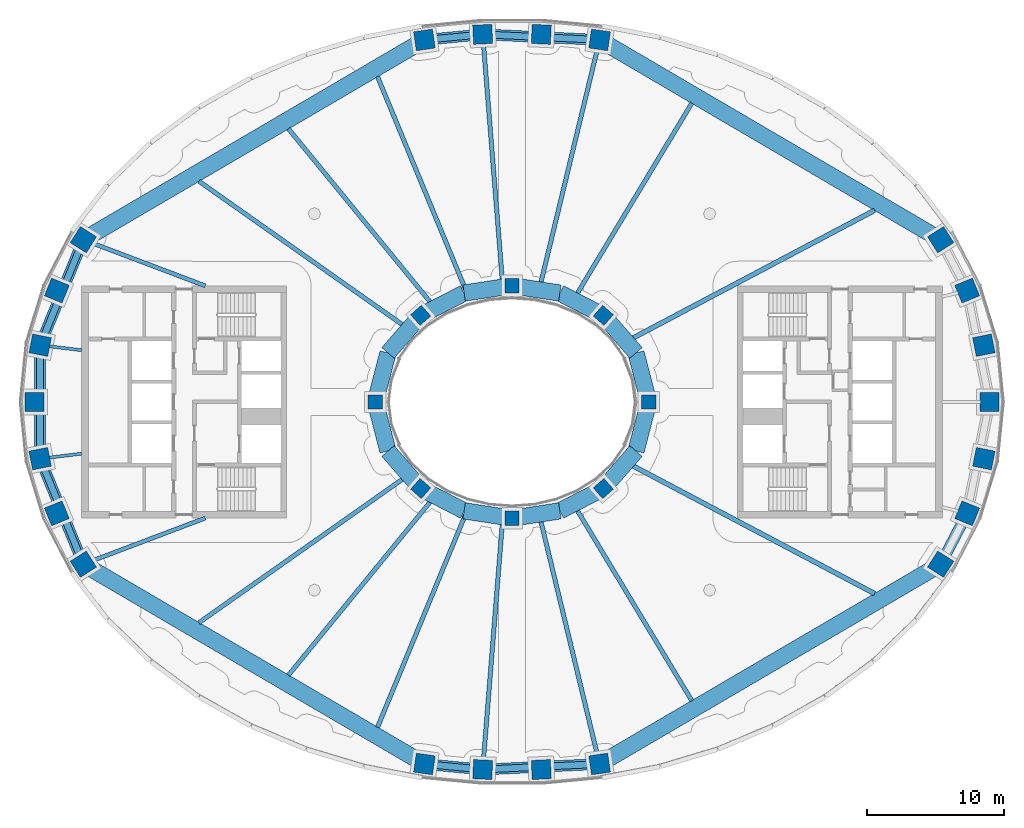
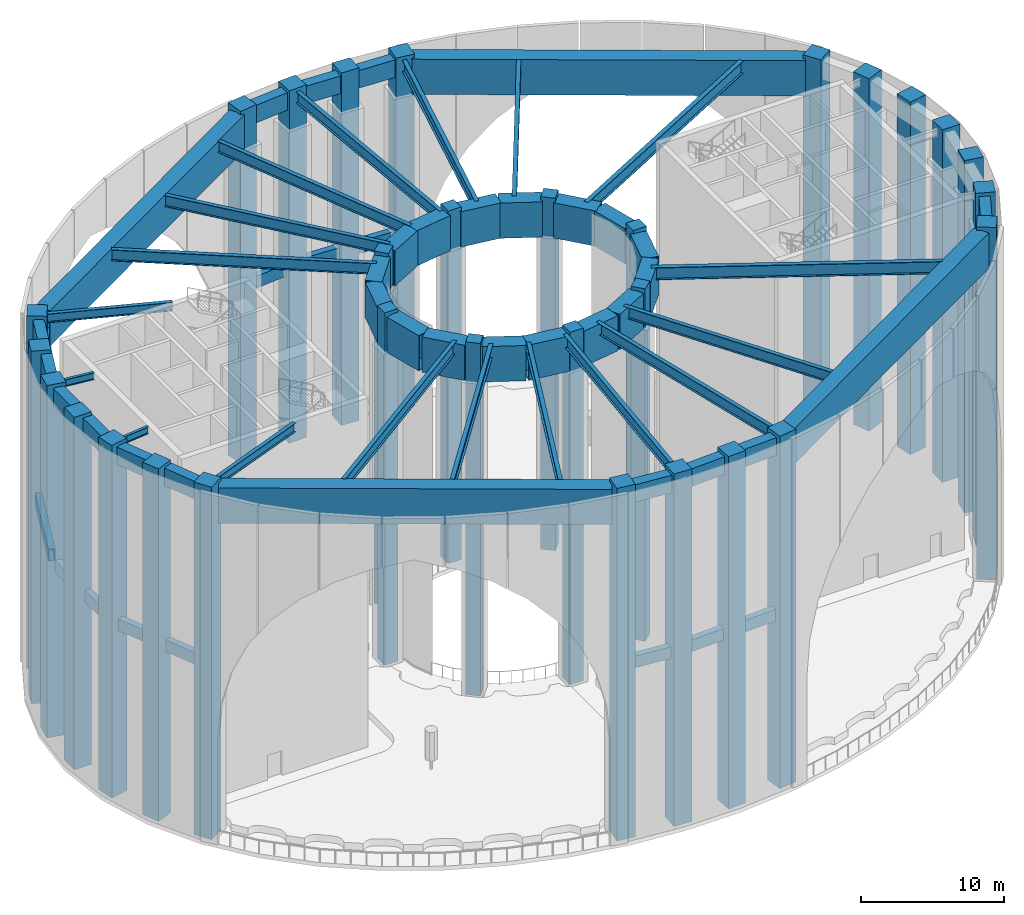
# One storey, part 1 of 26: 53 beams, 30 columns.
"""IFC4 building model written with IfcOpenShell, lengths in metres."""

import ifcopenshell
import ifcopenshell.guid

model = None  # the IFC model being written
_history = None  # IfcOwnerHistory: only IFC2X3 demands one
_inside = {}  # id of a spatial element -> (the spatial element, [elements in it])
_under = {}  # id of a project, library or spatial element -> (it, [spatial elements below it])
_declared = {}  # id of a project -> (the project, [libraries it declares])
_typed = {}  # id of a type object -> (the type object, [elements of that type])
_made_of = {}  # id of a material, layer set ... -> (it, [elements and type objects made of it])


def new_model(schema):
    """Start an empty IFC model of exactly this schema.

    Asked for "IFC4X3", IfcOpenShell would pick the latest addendum, in which some entities
    have other attributes; the version numbers below select the first issue.
    IFC2X3 requires an IfcOwnerHistory on every rooted entity: one is made here for all.
    """
    global model, _history
    if schema == "IFC4X3":
        model = ifcopenshell.file(schema_version=(4, 3, 0, 0))
    else:
        model = ifcopenshell.file(schema=schema)
    _inside.clear()
    _under.clear()
    _declared.clear()
    _typed.clear()
    _made_of.clear()
    _history = None
    if model.schema == "IFC2X3":
        org = make("IfcOrganization", Name="unknown")
        user = make(
            "IfcPersonAndOrganization",
            ThePerson=make("IfcPerson", FamilyName="unknown"),
            TheOrganization=org,
        )
        app = make(
            "IfcApplication",
            ApplicationDeveloper=org,
            Version="unknown",
            ApplicationFullName="unknown",
            ApplicationIdentifier="unknown",
        )
        _history = make(
            "IfcOwnerHistory",
            OwningUser=user,
            OwningApplication=app,
            ChangeAction="ADDED",
            CreationDate=0,
        )
    return model


def make(cls, **values):
    """One entity of the class cls with the attributes given. An attribute that is None is left unset."""
    return model.create_entity(
        cls, **{name: value for name, value in values.items() if value is not None}
    )


def rooted(cls, **values):
    """An entity with a GlobalId (a new one), such as an element, a storey or a relation."""
    return make(cls, GlobalId=ifcopenshell.guid.new(), OwnerHistory=_history, **values)


def si_unit(unit_type, name, prefix=None):
    """IfcSIUnit, for example si_unit("LENGTHUNIT", "METRE", prefix="MILLI")."""
    return make("IfcSIUnit", UnitType=unit_type, Prefix=prefix, Name=name)


def assignment(units):
    """IfcUnitAssignment: the units of a project."""
    return None if units is None else make("IfcUnitAssignment", Units=units)


def point(xyz):
    """IfcCartesianPoint."""
    return None if xyz is None else make("IfcCartesianPoint", Coordinates=xyz)


def direction(xyz):
    """IfcDirection."""
    return None if xyz is None else make("IfcDirection", DirectionRatios=xyz)


def frame(location, z_axis=None, x_axis=None):
    """IfcAxis2Placement3D, a coordinate frame: its origin and axes. An axis left out is left unset."""
    return make(
        "IfcAxis2Placement3D",
        Location=point(location),
        Axis=direction(z_axis),
        RefDirection=direction(x_axis),
    )


def frame_2d(location, x_axis=None):
    """IfcAxis2Placement2D, a coordinate frame in the plane: its origin and x axis."""
    return make(
        "IfcAxis2Placement2D", Location=point(location), RefDirection=direction(x_axis)
    )


def origin():
    """The frame at (0, 0, 0) with its axes left unset."""
    return frame((0.0, 0.0, 0.0))


def origin_2d():
    """The frame at (0, 0) in the plane with its x axis left unset."""
    return frame_2d((0.0, 0.0))


def place(relative_to, where):
    """IfcLocalPlacement: puts the frame where relative to a parent placement (None: the world)."""
    return make(
        "IfcLocalPlacement", PlacementRelTo=relative_to, RelativePlacement=where
    )


def context(
    kind, dimensions, precision=None, world=None, true_north=None, identifier=None
):
    """IfcGeometricRepresentationContext, for example the 3D "Model" context."""
    return make(
        "IfcGeometricRepresentationContext",
        ContextIdentifier=identifier,
        ContextType=kind,
        CoordinateSpaceDimension=dimensions,
        Precision=precision,
        WorldCoordinateSystem=world,
        TrueNorth=true_north,
    )


def subcontext(parent, identifier, kind, view, scale=None):
    """IfcGeometricRepresentationSubContext, for example "Body" below "Model"."""
    return make(
        "IfcGeometricRepresentationSubContext",
        ContextIdentifier=identifier,
        ContextType=kind,
        ParentContext=parent,
        TargetScale=scale,
        TargetView=view,
    )


def project(units=None, contexts=None):
    """IfcProject with its units and contexts."""
    return rooted(
        "IfcProject",
        Name="project",
        RepresentationContexts=contexts,
        UnitsInContext=assignment(units),
    )


def spatial(cls, under=None, at=None, **own):
    """A site, building, storey or space (cls), placed at a placement, below another one or the project."""
    s = rooted(cls, ObjectPlacement=at, **own)
    if under is not None:
        _under.setdefault(under.id(), (under, []))[1].append(s)
    return s


def profile(cls, at=None, kind="AREA", **sizes):
    """A parametric profile (cls). Its sizes go by their IFC names, for example OverallWidth=200.0."""
    return make(cls, ProfileType=kind, Position=at, **sizes)


def rectangle(**sizes):
    """IfcRectangleProfileDef."""
    return profile("IfcRectangleProfileDef", **sizes)


def hollow_rectangle(**sizes):
    """IfcRectangleHollowProfileDef."""
    return profile("IfcRectangleHollowProfileDef", **sizes)


def i_section(**sizes):
    """IfcIShapeProfileDef."""
    return profile("IfcIShapeProfileDef", **sizes)


def extrude(swept, where, along, depth):
    """IfcExtrudedAreaSolid: the profile swept, set in the frame where, extruded along a direction by depth."""
    return make(
        "IfcExtrudedAreaSolid",
        SweptArea=swept,
        Position=where,
        ExtrudedDirection=direction(along),
        Depth=depth,
    )


def shape(context_of_items, identifier, shape_type, items):
    """IfcShapeRepresentation: the items that make up one representation, for example the "Body"."""
    return make(
        "IfcShapeRepresentation",
        ContextOfItems=context_of_items,
        RepresentationIdentifier=identifier,
        RepresentationType=shape_type,
        Items=items,
    )


def material(Name=None, Category=None):
    """IfcMaterial."""
    return make("IfcMaterial", Name=Name, Category=Category)


def material_profile(
    of_material, cross_section, Name=None, Category=None, Priority=None
):
    """IfcMaterialProfile: a cross section and its material."""
    return make(
        "IfcMaterialProfile",
        Name=Name,
        Material=of_material,
        Profile=cross_section,
        Priority=Priority,
        Category=Category,
    )


def profile_set(profiles, Name=None, composite=None):
    """IfcMaterialProfileSet."""
    return make(
        "IfcMaterialProfileSet",
        Name=Name,
        MaterialProfiles=profiles,
        CompositeProfile=composite,
    )


def made_of(thing, what):
    """Note that an element or type object is made of a material, layer set ...; save() writes the relation."""
    if what is not None:
        _made_of.setdefault(what.id(), (what, []))[1].append(thing)
    return thing


def type_object(cls, material=None, **own):
    """A type object (cls), such as IfcWallType, which elements share."""
    return made_of(rooted(cls, **own), material)


def element(
    cls,
    number,
    at=None,
    inside=None,
    cuts=None,
    type_object=None,
    material=None,
    context=None,
    identifier="Body",
    shape_type=None,
    held_by="IfcProductDefinitionShape",
    body=None,
    shapes=None,
    **own,
):
    """One element of the class cls, such as IfcWall. Its Tag is "e" and its number.

    at: its placement. inside: the storey or other place that contains it. cuts: it is an
    opening in that element (IfcRelVoidsElement). A single representation is given by context,
    identifier, shape_type and body (its items); several are given by shapes. held_by: the class
    of the entity that holds the representations. save() writes the other relations.
    """
    e = rooted(cls, Tag="e%d" % number, ObjectPlacement=at, **own)
    if body is not None:
        shapes = [shape(context, identifier, shape_type, body)]
    if shapes is not None:
        e.Representation = make(held_by, Representations=shapes)
    if inside is not None:
        _inside.setdefault(inside.id(), (inside, []))[1].append(e)
    if cuts is not None:
        rooted(
            "IfcRelVoidsElement", RelatingBuildingElement=cuts, RelatedOpeningElement=e
        )
    if type_object is not None:
        _typed.setdefault(type_object.id(), (type_object, []))[1].append(e)
    return made_of(e, material)


def aggregate(whole, parts):
    """IfcRelAggregates: a whole, such as a stair, and the parts it consists of."""
    return rooted("IfcRelAggregates", RelatingObject=whole, RelatedObjects=parts)


def save(model, path):
    """Write the relations noted so far, then the file.

    IfcRelAggregates (storeys below a building ...), IfcRelContainedInSpatialStructure (elements
    in a storey), IfcRelDefinesByType, IfcRelAssociatesMaterial and IfcRelDeclares: one each for
    every whole, place, type object, material and project.
    """
    for whole, parts in _under.values():
        aggregate(whole, parts)
    for where, things in _inside.values():
        rooted(
            "IfcRelContainedInSpatialStructure",
            RelatedElements=things,
            RelatingStructure=where,
        )
    for kind, things in _typed.values():
        rooted("IfcRelDefinesByType", RelatedObjects=things, RelatingType=kind)
    for what, things in _made_of.values():
        rooted("IfcRelAssociatesMaterial", RelatedObjects=things, RelatingMaterial=what)
    for by, libraries in _declared.values():
        rooted("IfcRelDeclares", RelatingContext=by, RelatedDefinitions=libraries)
    model.write(path)


model = new_model("IFC4")

# Units and contexts
model_context = context("Model", 3, precision=1e-05, world=origin(), true_north=direction((0.0, 1.0)))
body_context = subcontext(model_context, "Body", "Model", "MODEL_VIEW")
ifc_project = project(units=[si_unit("LENGTHUNIT", "METRE"), si_unit("AREAUNIT", "SQUARE_METRE"), si_unit("VOLUMEUNIT", "CUBIC_METRE"), si_unit("PLANEANGLEUNIT", "RADIAN"), si_unit("MASSUNIT", "GRAM", prefix="KILO")], contexts=[model_context])

# Site, building, storey
site_placement = place(None, origin())
site = spatial("IfcSite", under=ifc_project, at=site_placement, CompositionType="ELEMENT")
building_placement = place(site_placement, origin())
building = spatial("IfcBuilding", under=site, at=building_placement, Name="Noorbagh Ring Tower", CompositionType="ELEMENT")
storey_placement = place(building_placement, frame((0.0, 0.0, 203.5)))
storey = spatial("IfcBuildingStorey", under=building, at=storey_placement, Name="L47", CompositionType="ELEMENT", Elevation=203.5)

# Columns
ifc_material_1 = material(Name="Concrete C60/75", Category="concrete")
ifc_material_profile_1 = material_profile(ifc_material_1, rectangle(XDim=1.39990234375, YDim=1.39990234375, at=origin_2d()), Name="RC1400x1400")
ifc_profile_set_1 = profile_set([ifc_material_profile_1], Name="Concrete C60/75")
column_type_1 = type_object("IfcColumnType", Name="STR-COL-RC1400x1400-C60-75", PredefinedType="COLUMN", material=ifc_profile_set_1)
for number, where, z_axis, x_axis, name in (
    (1, (34.944580078125, 0.0, 0.0), (0.0, 0.0, 1.0), (0.0, 1.0, 0.0), "L47/col/R1-01"),
    (2, (34.52685546875, 4.150634765625, 0.0), (0.0, 0.0, 1.0), (-0.19723040178, 0.9803571638, 0.0), "L47/col/R1-02"),
    (3, (33.30517578125, 8.1494140625, 0.0), (0.0, 0.0, 1.0), (-0.378989499959, 0.925400971969, 0.0), "L47/col/R1-03"),
    (4, (31.364990234375, 11.87109375, 0.0), (0.0, 0.0, 1.0), (-0.535190403059, 0.844731455833, 0.0), "L47/col/R1-04"),
    (5, (6.4091796875, 26.49072265625, 0.0), (0.0, 0.0, 1.0), (-0.989713114048, 0.143066249975, 0.0), "L47/col/R1-11"),
    (6, (2.14306640625, 26.89794921875, 0.0), (0.0, 0.0, 1.0), (-0.998868731212, 0.047552684538, 0.0), "L47/col/R1-12"),
    (7, (-2.14306640625, 26.89794921875, 0.0), (0.0, 0.0, 1.0), (-0.998868731212, -0.047552684538, 0.0), "L47/col/R1-13"),
    (8, (-6.4091796875, 26.49072265625, 0.0), (0.0, 0.0, 1.0), (-0.989713114048, -0.143066249975, 0.0), "L47/col/R1-14"),
    (9, (-31.364990234375, 11.87109375, 0.0), (0.0, 0.0, 1.0), (-0.535190403059, -0.844731455833, 0.0), "L47/col/R1-21"),
    (10, (-33.30517578125, 8.1494140625, 0.0), (0.0, 0.0, 1.0), (-0.378989499959, -0.925400971969, 0.0), "L47/col/R1-22"),
    (11, (-34.52685546875, 4.150634765625, 0.0), (0.0, 0.0, 1.0), (-0.19723040178, -0.9803571638, 0.0), "L47/col/R1-23"),
    (12, (-34.944580078125, 0.0, 0.0), (0.0, 0.0, 1.0), (0.0, -1.0, 0.0), "L47/col/R1-24"),
    (13, (-34.52685546875, -4.150634765625, 0.0), (0.0, 0.0, 1.0), (0.19723040178, -0.9803571638, 0.0), "L47/col/R1-25"),
    (14, (-33.30517578125, -8.1494140625, 0.0), (0.0, 0.0, 1.0), (0.378989499959, -0.925400971969, 0.0), "L47/col/R1-26"),
    (15, (-31.364990234375, -11.87109375, 0.0), (0.0, 0.0, 1.0), (0.535190403059, -0.844731455833, 0.0), "L47/col/R1-27"),
    (16, (-6.4091796875, -26.49072265625, 0.0), (0.0, 0.0, 1.0), (0.989713114048, -0.143066249975, 0.0), "L47/col/R1-34"),
    (17, (-2.14306640625, -26.89794921875, 0.0), (0.0, 0.0, 1.0), (0.998868731212, -0.047552684538, 0.0), "L47/col/R1-35"),
    (18, (2.14306640625, -26.89794921875, 0.0), (0.0, 0.0, 1.0), (0.998868731212, 0.047552684538, 0.0), "L47/col/R1-36"),
    (19, (6.4091796875, -26.49072265625, 0.0), (0.0, 0.0, 1.0), (0.989713114048, 0.143066249975, 0.0), "L47/col/R1-37"),
    (20, (31.364990234375, -11.87109375, 0.0), (0.0, 0.0, 1.0), (0.535190403059, 0.844731455833, 0.0), "L47/col/R1-44"),
    (21, (33.30517578125, -8.1494140625, 0.0), (0.0, 0.0, 1.0), (0.378989499959, 0.925400971969, 0.0), "L47/col/R1-45"),
    (22, (34.52685546875, -4.150634765625, 0.0), (0.0, 0.0, 1.0), (0.19723040178, 0.9803571638, 0.0), "L47/col/R1-46"),
):
    element("IfcColumn", number, at=place(storey_placement, frame(where, z_axis=z_axis, x_axis=x_axis)), inside=storey, type_object=column_type_1, Name=name, PredefinedType="COLUMN", context=body_context, shape_type="SweptSolid", body=[
        extrude(rectangle(XDim=1.39990234375, YDim=1.39990234375, at=origin_2d()), origin(), (0.0, 0.0, 1.0), 30.0),
    ])
ifc_material_2 = material(Name="Concrete C60/75", Category="concrete")
ifc_material_profile_2 = material_profile(ifc_material_2, rectangle(XDim=1.050048828125, YDim=1.050048828125, at=origin_2d()), Name="RC1050x1050")
ifc_profile_set_2 = profile_set([ifc_material_profile_2], Name="Concrete C60/75")
column_type_2 = type_object("IfcColumnType", Name="STR-ICOL-RC1050x1050-C60-75", PredefinedType="COLUMN", material=ifc_profile_set_2)
for number, where, z_axis, x_axis, name in (
    (23, (10.00830078125, 0.0, 0.0), (0.0, 0.0, 1.0), (0.0, 1.0, 0.0), "L47/col/IR2-W01"),
    (24, (6.68212890625, 6.333740234375, 0.0), (0.0, 0.0, 1.0), (-0.75102249095, 0.660276622399, 0.0), "L47/col/IR2-W05"),
    (25, (0.0, 8.5029296875, 0.0), (0.0, 0.0, 1.0), (-1.0, 0.0, 0.0), "L47/col/IR2-W09"),
    (26, (-6.68212890625, 6.333740234375, 0.0), (0.0, 0.0, 1.0), (-0.75102249095, -0.660276622399, 0.0), "L47/col/IR2-W13"),
    (27, (-10.00830078125, 0.0, 0.0), (0.0, 0.0, 1.0), (0.0, -1.0, 0.0), "L47/col/IR2-W17"),
    (28, (-6.68212890625, -6.333740234375, 0.0), (0.0, 0.0, 1.0), (0.75102249095, -0.660276622399, 0.0), "L47/col/IR2-W21"),
    (29, (0.0, -8.5029296875, 0.0), (0.0, 0.0, 1.0), (1.0, 0.0, 0.0), "L47/col/IR2-W25"),
    (30, (6.68212890625, -6.333740234375, 0.0), (0.0, 0.0, 1.0), (0.75102249095, 0.660276622399, 0.0), "L47/col/IR2-W29"),
):
    element("IfcColumn", number, at=place(storey_placement, frame(where, z_axis=z_axis, x_axis=x_axis)), inside=storey, type_object=column_type_2, Name=name, PredefinedType="COLUMN", context=body_context, shape_type="SweptSolid", body=[
        extrude(rectangle(XDim=1.050048828125, YDim=1.050048828125, at=origin_2d()), origin(), (0.0, 0.0, 1.0), 30.0),
    ])

# Beams
ifc_material_3 = material(Name="Steel S460", Category="steel")
ifc_material_profile_3 = material_profile(ifc_material_3, hollow_rectangle(XDim=0.5, YDim=1.0, WallThickness=0.0400390625, at=origin_2d()), Name="BOX1000x500x40")
ifc_profile_set_3 = profile_set([ifc_material_profile_3], Name="Steel S460")
beam_type_1 = type_object("IfcBeamType", Name="STR-PORTAL-TIE-RING-BOX1000x500x40-S460", PredefinedType="BEAM", material=ifc_profile_set_3)
beam_1_placement = place(storey_placement, frame((5.726806640625, 26.5234375, 14.5), z_axis=(-0.998869595741, 0.047534521183, 0.0), x_axis=(-0.047534521183, -0.998869595741, 0.0)))
element("IfcBeam", 31, at=beam_1_placement, inside=storey, type_object=beam_type_1, Name="Portal tie ring beam", PredefinedType="BEAM", context=body_context, shape_type="SweptSolid", body=[
    extrude(hollow_rectangle(XDim=0.5, YDim=1.0, WallThickness=0.0400390625, at=origin_2d()), origin(), (0.0, 0.0, 1.0), 7.195556640625),
])
beam_2_placement = place(storey_placement, frame((-2.82080078125, 26.833251953125, 14.5), z_axis=(-0.995475184925, -0.095021872206, 0.0), x_axis=(0.095021872206, -0.995475184925, 0.0)))
element("IfcBeam", 32, at=beam_2_placement, inside=storey, type_object=beam_type_1, Name="Portal tie ring beam", PredefinedType="BEAM", context=body_context, shape_type="SweptSolid", body=[
    extrude(hollow_rectangle(XDim=0.5, YDim=1.0, WallThickness=0.0400390625, at=origin_2d()), origin(), (0.0, 0.0, 1.0), 2.923828125),
])
beam_3_placement = place(storey_placement, frame((-31.626953125, 11.2314453125, 14.5), z_axis=(-0.378975710003, -0.925406619399, 0.0), x_axis=(0.925406619399, -0.378975710003, 0.0)))
element("IfcBeam", 33, at=beam_3_placement, inside=storey, type_object=beam_type_1, Name="Portal tie ring beam", PredefinedType="BEAM", context=body_context, shape_type="SweptSolid", body=[
    extrude(hollow_rectangle(XDim=0.5, YDim=1.0, WallThickness=0.0400390625, at=origin_2d()), origin(), (0.0, 0.0, 1.0), 6.958740234375),
])
beam_4_placement = place(storey_placement, frame((-34.52685546875, 3.45654296875, 14.5), z_axis=(0.0, -1.0, 0.0), x_axis=(1.0, 0.0, 0.0)))
element("IfcBeam", 34, at=beam_4_placement, inside=storey, type_object=beam_type_1, Name="Portal tie ring beam", PredefinedType="BEAM", context=body_context, shape_type="SweptSolid", body=[
    extrude(hollow_rectangle(XDim=0.5, YDim=1.0, WallThickness=0.0400390625, at=origin_2d()), origin(), (0.0, 0.0, 1.0), 6.9130859375),
])
beam_5_placement = place(storey_placement, frame((-34.26416015625, -4.791748046875, 14.5), z_axis=(0.378975710003, -0.925406619399, 0.0), x_axis=(0.925406619399, 0.378975710003, 0.0)))
element("IfcBeam", 35, at=beam_5_placement, inside=storey, type_object=beam_type_1, Name="Portal tie ring beam", PredefinedType="BEAM", context=body_context, shape_type="SweptSolid", body=[
    extrude(hollow_rectangle(XDim=0.5, YDim=1.0, WallThickness=0.0400390625, at=origin_2d()), origin(), (0.0, 0.0, 1.0), 6.958740234375),
])
beam_6_placement = place(storey_placement, frame((-5.7314453125, -26.555419921875, 14.5), z_axis=(0.995475184925, -0.095021872206, 0.0), x_axis=(0.095021872206, 0.995475184925, 0.0)))
element("IfcBeam", 36, at=beam_6_placement, inside=storey, type_object=beam_type_1, Name="Portal tie ring beam", PredefinedType="BEAM", context=body_context, shape_type="SweptSolid", body=[
    extrude(hollow_rectangle(XDim=0.5, YDim=1.0, WallThickness=0.0400390625, at=origin_2d()), origin(), (0.0, 0.0, 1.0), 2.923828125),
])
beam_7_placement = place(storey_placement, frame((-1.460693359375, -26.865478515625, 14.5), z_axis=(0.998869595741, 0.047534521183, 0.0), x_axis=(-0.047534521183, 0.998869595741, 0.0)))
element("IfcBeam", 37, at=beam_7_placement, inside=storey, type_object=beam_type_1, Name="Portal tie ring beam", PredefinedType="BEAM", context=body_context, shape_type="SweptSolid", body=[
    extrude(hollow_rectangle(XDim=0.5, YDim=1.0, WallThickness=0.0400390625, at=origin_2d()), origin(), (0.0, 0.0, 1.0), 7.195556640625),
])
ifc_material_4 = material(Name="Steel S355", Category="steel")
ifc_material_profile_4 = material_profile(ifc_material_4, i_section(OverallWidth=0.219970703125, OverallDepth=0.60009765625, WebThickness=0.011962890625, FlangeThickness=0.01904296875, FilletRadius=0.02392578125, at=origin_2d()), Name="IPE600")
ifc_profile_set_4 = profile_set([ifc_material_profile_4], Name="Steel S355")
beam_type_2 = type_object("IfcBeamType", Name="STR-RAD-IPE600", PredefinedType="BEAM", material=ifc_profile_set_4)
for number, where, z_axis, x_axis, name in (
    (38, (-33.849365234375, 4.0693359375, 29.39990234375), (0.992846305677, -0.119399385689, 0.0), (0.119399385689, 0.992846305677, 0.0), "L47/bm/RD23"),
    (39, (-33.849365234375, -4.0693359375, 29.39990234375), (0.992846305677, 0.119399385689, 0.0), (-0.119399385689, 0.992846305677, 0.0), "L47/bm/RD25"),
):
    element("IfcBeam", number, at=place(storey_placement, frame(where, z_axis=z_axis, x_axis=x_axis)), inside=storey, type_object=beam_type_2, Name=name, PredefinedType="BEAM", context=body_context, shape_type="SweptSolid", body=[
        extrude(i_section(OverallWidth=0.219970703125, OverallDepth=0.60009765625, WebThickness=0.011962890625, FlangeThickness=0.01904296875, FilletRadius=0.02392578125, at=origin_2d()), origin(), (0.0, 0.0, 1.0), 2.38623046875),
    ])
ifc_material_5 = material(Name="Steel S355", Category="steel")
ifc_material_profile_5 = material_profile(ifc_material_5, i_section(OverallWidth=0.35009765625, OverallDepth=1.050048828125, WebThickness=0.01806640625, FlangeThickness=0.033935546875, at=origin_2d()), Name="PG1050x350x18x34")
ifc_profile_set_5 = profile_set([ifc_material_profile_5], Name="Steel S355")
beam_type_3 = type_object("IfcBeamType", Name="STR-RAD-PG1050x350x18x34", PredefinedType="BEAM", material=ifc_profile_set_5)
for number, where, z_axis, x_axis, name in (
    (40, (26.5361328125, 14.024169921875, 29.175048828125), (-0.884125986177, -0.467248585408, 0.0), (0.467248585408, -0.884125986177, 0.0), "L47/bm/RD05"),
    (41, (26.5361328125, -14.024169921875, 29.175048828125), (-0.884125986177, 0.467248585408, 0.0), (-0.467248585408, -0.884125986177, 0.0), "L47/bm/RD43"),
):
    element("IfcBeam", number, at=place(storey_placement, frame(where, z_axis=z_axis, x_axis=x_axis)), inside=storey, type_object=beam_type_3, Name=name, PredefinedType="BEAM", context=body_context, shape_type="SweptSolid", body=[
        extrude(i_section(OverallWidth=0.35009765625, OverallDepth=1.050048828125, WebThickness=0.01806640625, FlangeThickness=0.033935546875, at=origin_2d()), origin(), (0.0, 0.0, 1.0), 20.32763671875),
    ])
ifc_material_6 = material(Name="Steel S355", Category="steel")
ifc_material_profile_6 = material_profile(ifc_material_6, i_section(OverallWidth=0.300048828125, OverallDepth=0.75, WebThickness=0.013916015625, FlangeThickness=0.02587890625, at=origin_2d()), Name="PG750x300x14x26")
ifc_profile_set_6 = profile_set([ifc_material_profile_6], Name="Steel S355")
beam_type_4 = type_object("IfcBeamType", Name="STR-RAD-PG750x300x14x26", PredefinedType="BEAM", material=ifc_profile_set_6)
for number, where, z_axis, x_axis, name in (
    (42, (-30.71533203125, 11.625, 29.324951171875), (0.935257869922, -0.353967112524, 0.0), (0.353967112524, 0.935257869922, 0.0), "L47/bm/RD21"),
    (43, (-30.71533203125, -11.625, 29.324951171875), (0.935257869922, 0.353967112524, 0.0), (-0.353967112524, 0.935257869922, 0.0), "L47/bm/RD27"),
):
    element("IfcBeam", number, at=place(storey_placement, frame(where, z_axis=z_axis, x_axis=x_axis)), inside=storey, type_object=beam_type_4, Name=name, PredefinedType="BEAM", context=body_context, shape_type="SweptSolid", body=[
        extrude(i_section(OverallWidth=0.300048828125, OverallDepth=0.75, WebThickness=0.013916015625, FlangeThickness=0.02587890625, at=origin_2d()), origin(), (0.0, 0.0, 1.0), 8.848388671875),
    ])
ifc_material_7 = material(Name="Steel S355", Category="steel")
ifc_material_profile_7 = material_profile(ifc_material_7, i_section(OverallWidth=0.320068359375, OverallDepth=0.949951171875, WebThickness=0.01611328125, FlangeThickness=0.030029296875, at=origin_2d()), Name="PG950x320x16x30")
ifc_profile_set_7 = profile_set([ifc_material_profile_7], Name="Steel S355")
beam_type_5 = type_object("IfcBeamType", Name="STR-RAD-PG950x320x16x30", PredefinedType="BEAM", material=ifc_profile_set_7)
beam_8_placement = place(storey_placement, frame((13.158935546875, 21.864501953125, 29.22509765625), z_axis=(-0.515649325619, -0.856799727467, 0.0), x_axis=(0.856799727467, -0.515649325619, 0.0)))
element("IfcBeam", 44, at=beam_8_placement, inside=storey, type_object=beam_type_5, Name="L47/bm/RD09", PredefinedType="BEAM", context=body_context, shape_type="SweptSolid", body=[
    extrude(i_section(OverallWidth=0.320068359375, OverallDepth=0.949951171875, WebThickness=0.01611328125, FlangeThickness=0.030029296875, at=origin_2d()), origin(), (0.0, 0.0, 1.0), 16.58203125),
])
beam_9_placement = place(storey_placement, frame((6.24853515625, 25.826904296875, 29.22509765625), z_axis=(-0.235149654228, -0.971959176157, 0.0), x_axis=(0.971959176157, -0.235149654228, 0.0)))
element("IfcBeam", 45, at=beam_9_placement, inside=storey, type_object=beam_type_5, Name="L47/bm/RD11", PredefinedType="BEAM", context=body_context, shape_type="SweptSolid", body=[
    extrude(i_section(OverallWidth=0.320068359375, OverallDepth=0.949951171875, WebThickness=0.01611328125, FlangeThickness=0.030029296875, at=origin_2d()), origin(), (0.0, 0.0, 1.0), 17.905517578125),
])
beam_10_placement = place(storey_placement, frame((-2.089111328125, 26.2197265625, 29.22509765625), z_axis=(0.079419660904, -0.996841269943, 0.0), x_axis=(0.996841269943, 0.079419660904, 0.0)))
element("IfcBeam", 46, at=beam_10_placement, inside=storey, type_object=beam_type_5, Name="L47/bm/RD13", PredefinedType="BEAM", context=body_context, shape_type="SweptSolid", body=[
    extrude(i_section(OverallWidth=0.320068359375, OverallDepth=0.949951171875, WebThickness=0.01611328125, FlangeThickness=0.030029296875, at=origin_2d()), origin(), (0.0, 0.0, 1.0), 17.64501953125),
])
beam_11_placement = place(storey_placement, frame((-9.841796875, 23.8076171875, 29.22509765625), z_axis=(0.382029679869, -0.924150054753, 0.0), x_axis=(0.924150054753, 0.382029679869, 0.0)))
element("IfcBeam", 47, at=beam_11_placement, inside=storey, type_object=beam_type_5, Name="L47/bm/RD15", PredefinedType="BEAM", context=body_context, shape_type="SweptSolid", body=[
    extrude(i_section(OverallWidth=0.320068359375, OverallDepth=0.949951171875, WebThickness=0.01611328125, FlangeThickness=0.030029296875, at=origin_2d()), origin(), (0.0, 0.0, 1.0), 16.871337890625),
])
beam_12_placement = place(storey_placement, frame((-16.3583984375, 19.98974609375, 29.22509765625), z_axis=(0.633312576392, -0.773896104515, 0.0), x_axis=(0.773896104515, 0.633312576392, 0.0)))
element("IfcBeam", 48, at=beam_12_placement, inside=storey, type_object=beam_type_5, Name="L47/bm/RD17", PredefinedType="BEAM", context=body_context, shape_type="SweptSolid", body=[
    extrude(i_section(OverallWidth=0.320068359375, OverallDepth=0.949951171875, WebThickness=0.01611328125, FlangeThickness=0.030029296875, at=origin_2d()), origin(), (0.0, 0.0, 1.0), 16.709716796875),
])
for number, where, z_axis, x_axis, name in (
    (49, (-22.90625, 16.152099609375, 29.22509765625), (0.817255193454, -0.576275931106, 0.0), (0.576275931106, 0.817255193454, 0.0), "L47/bm/RD19"),
    (50, (-22.90625, -16.152099609375, 29.22509765625), (0.817255193454, 0.576275931106, 0.0), (-0.576275931106, 0.817255193454, 0.0), "L47/bm/RD29"),
):
    element("IfcBeam", number, at=place(storey_placement, frame(where, z_axis=z_axis, x_axis=x_axis)), inside=storey, type_object=beam_type_5, Name=name, PredefinedType="BEAM", context=body_context, shape_type="SweptSolid", body=[
        extrude(i_section(OverallWidth=0.320068359375, OverallDepth=0.949951171875, WebThickness=0.01611328125, FlangeThickness=0.030029296875, at=origin_2d()), origin(), (0.0, 0.0, 1.0), 18.549072265625),
    ])
beam_13_placement = place(storey_placement, frame((-16.3583984375, -19.98974609375, 29.22509765625), z_axis=(0.633312576392, 0.773896104515, 0.0), x_axis=(-0.773896104515, 0.633312576392, 0.0)))
element("IfcBeam", 51, at=beam_13_placement, inside=storey, type_object=beam_type_5, Name="L47/bm/RD31", PredefinedType="BEAM", context=body_context, shape_type="SweptSolid", body=[
    extrude(i_section(OverallWidth=0.320068359375, OverallDepth=0.949951171875, WebThickness=0.01611328125, FlangeThickness=0.030029296875, at=origin_2d()), origin(), (0.0, 0.0, 1.0), 16.709716796875),
])
beam_14_placement = place(storey_placement, frame((-9.841796875, -23.8076171875, 29.22509765625), z_axis=(0.382029679869, 0.924150054753, 0.0), x_axis=(-0.924150054753, 0.382029679869, 0.0)))
element("IfcBeam", 52, at=beam_14_placement, inside=storey, type_object=beam_type_5, Name="L47/bm/RD33", PredefinedType="BEAM", context=body_context, shape_type="SweptSolid", body=[
    extrude(i_section(OverallWidth=0.320068359375, OverallDepth=0.949951171875, WebThickness=0.01611328125, FlangeThickness=0.030029296875, at=origin_2d()), origin(), (0.0, 0.0, 1.0), 16.871337890625),
])
beam_15_placement = place(storey_placement, frame((-2.089111328125, -26.2197265625, 29.22509765625), z_axis=(0.079419660904, 0.996841269943, 0.0), x_axis=(-0.996841269943, 0.079419660904, 0.0)))
element("IfcBeam", 53, at=beam_15_placement, inside=storey, type_object=beam_type_5, Name="L47/bm/RD35", PredefinedType="BEAM", context=body_context, shape_type="SweptSolid", body=[
    extrude(i_section(OverallWidth=0.320068359375, OverallDepth=0.949951171875, WebThickness=0.01611328125, FlangeThickness=0.030029296875, at=origin_2d()), origin(), (0.0, 0.0, 1.0), 17.64501953125),
])
beam_16_placement = place(storey_placement, frame((6.24853515625, -25.826904296875, 29.22509765625), z_axis=(-0.235149654228, 0.971959176157, 0.0), x_axis=(-0.971959176157, -0.235149654228, 0.0)))
element("IfcBeam", 54, at=beam_16_placement, inside=storey, type_object=beam_type_5, Name="L47/bm/RD37", PredefinedType="BEAM", context=body_context, shape_type="SweptSolid", body=[
    extrude(i_section(OverallWidth=0.320068359375, OverallDepth=0.949951171875, WebThickness=0.01611328125, FlangeThickness=0.030029296875, at=origin_2d()), origin(), (0.0, 0.0, 1.0), 17.905517578125),
])
beam_17_placement = place(storey_placement, frame((13.158935546875, -21.864501953125, 29.22509765625), z_axis=(-0.515649325619, 0.856799727467, 0.0), x_axis=(-0.856799727467, -0.515649325619, 0.0)))
element("IfcBeam", 55, at=beam_17_placement, inside=storey, type_object=beam_type_5, Name="L47/bm/RD39", PredefinedType="BEAM", context=body_context, shape_type="SweptSolid", body=[
    extrude(i_section(OverallWidth=0.320068359375, OverallDepth=0.949951171875, WebThickness=0.01611328125, FlangeThickness=0.030029296875, at=origin_2d()), origin(), (0.0, 0.0, 1.0), 16.58203125),
])
ifc_material_8 = material(Name="Steel S460", Category="steel")
ifc_material_profile_8 = material_profile(ifc_material_8, hollow_rectangle(XDim=1.199951171875, YDim=3.0, WallThickness=0.06005859375, at=origin_2d()), Name="BOX3000x1200x60")
ifc_profile_set_8 = profile_set([ifc_material_profile_8], Name="Steel S460")
beam_type_6 = type_object("IfcBeamType", Name="STR-TRANSFER-GATE-GIRDER-BOX3000x1200x60-S460", PredefinedType="BEAM", material=ifc_profile_set_8)
for number, where, z_axis, x_axis, name in (
    (56, (30.70263671875, 12.259033203125, 28.199951171875), (-0.862841532409, 0.505474519585, 0.0), (-0.505474519585, -0.862841532409, 0.0), "L47/bm/SP04"),
    (57, (-7.0439453125, 26.118896484375, 28.199951171875), (-0.862841532409, -0.505474519585, 0.0), (0.505474519585, -0.862841532409, 0.0), "L47/bm/SP14"),
    (58, (-30.70263671875, -12.259033203125, 28.199951171875), (0.862841532409, -0.505474519585, 0.0), (0.505474519585, 0.862841532409, 0.0), "L47/bm/SP27"),
    (59, (7.0439453125, -26.118896484375, 28.199951171875), (0.862841532409, 0.505474519585, 0.0), (-0.505474519585, 0.862841532409, 0.0), "L47/bm/SP37"),
):
    element("IfcBeam", number, at=place(storey_placement, frame(where, z_axis=z_axis, x_axis=x_axis)), inside=storey, type_object=beam_type_6, Name=name, PredefinedType="BEAM", context=body_context, shape_type="SweptSolid", body=[
        extrude(hollow_rectangle(XDim=1.199951171875, YDim=3.0, WallThickness=0.06005859375, at=origin_2d()), origin(), (0.0, 0.0, 1.0), 27.41943359375),
    ])
beam_18_placement = place(storey_placement, frame((9.876953125, 0.505615234375, 28.199951171875), z_axis=(-0.251560619923, 0.967841544109, 0.0), x_axis=(-0.967841544109, -0.251560619923, 0.0)))
element("IfcBeam", 60, at=beam_18_placement, inside=storey, type_object=beam_type_6, Name="L47/bm/RG01", PredefinedType="BEAM", context=body_context, shape_type="SweptSolid", body=[
    extrude(hollow_rectangle(XDim=1.199951171875, YDim=3.0, WallThickness=0.06005859375, at=origin_2d()), origin(), (0.0, 0.0, 1.0), 3.185302734375),
])
beam_19_placement = place(storey_placement, frame((9.07568359375, 3.58837890625, 28.199951171875), z_axis=(-0.657135200432, 0.753772729908, 0.0), x_axis=(-0.753772729908, -0.657135200432, 0.0)))
element("IfcBeam", 61, at=beam_19_placement, inside=storey, type_object=beam_type_6, Name="L47/bm/RG02", PredefinedType="BEAM", context=body_context, shape_type="SweptSolid", body=[
    extrude(hollow_rectangle(XDim=1.199951171875, YDim=3.0, WallThickness=0.06005859375, at=origin_2d()), origin(), (0.0, 0.0, 1.0), 3.132568359375),
])
beam_20_placement = place(storey_placement, frame((6.21826171875, 6.572021484375, 28.199951171875), z_axis=(-0.889612661164, 0.456715790287, 0.0), x_axis=(-0.456715790287, -0.889612661164, 0.0)))
element("IfcBeam", 62, at=beam_20_placement, inside=storey, type_object=beam_type_6, Name="L47/bm/RG03", PredefinedType="BEAM", context=body_context, shape_type="SweptSolid", body=[
    extrude(hollow_rectangle(XDim=1.199951171875, YDim=3.0, WallThickness=0.06005859375, at=origin_2d()), origin(), (0.0, 0.0, 1.0), 3.054443359375),
])
for number, where, z_axis, x_axis, name in (
    (63, (3.5009765625, 7.967041015625, 28.199951171875), (-0.988490596745, 0.151282319345, 0.0), (-0.151282319345, -0.988490596745, 0.0), "L47/bm/RG04"),
    (64, (-0.505126953125, 8.425537109375, 28.199951171875), (-0.988490596745, -0.151282319345, 0.0), (0.151282319345, -0.988490596745, 0.0), "L47/bm/RG05"),
):
    element("IfcBeam", number, at=place(storey_placement, frame(where, z_axis=z_axis, x_axis=x_axis)), inside=storey, type_object=beam_type_6, Name=name, PredefinedType="BEAM", context=body_context, shape_type="SweptSolid", body=[
        extrude(hollow_rectangle(XDim=1.199951171875, YDim=3.0, WallThickness=0.06005859375, at=origin_2d()), origin(), (0.0, 0.0, 1.0), 3.03076171875),
    ])
beam_21_placement = place(storey_placement, frame((-3.5009765625, 7.967041015625, 28.199951171875), z_axis=(-0.889612661164, -0.456715790287, 0.0), x_axis=(0.456715790287, -0.889612661164, 0.0)))
element("IfcBeam", 65, at=beam_21_placement, inside=storey, type_object=beam_type_6, Name="L47/bm/RG06", PredefinedType="BEAM", context=body_context, shape_type="SweptSolid", body=[
    extrude(hollow_rectangle(XDim=1.199951171875, YDim=3.0, WallThickness=0.06005859375, at=origin_2d()), origin(), (0.0, 0.0, 1.0), 3.054443359375),
])
beam_22_placement = place(storey_placement, frame((-7.01708984375, 5.94970703125, 28.199951171875), z_axis=(-0.657135200432, -0.753772729908, 0.0), x_axis=(0.753772729908, -0.657135200432, 0.0)))
element("IfcBeam", 66, at=beam_22_placement, inside=storey, type_object=beam_type_6, Name="L47/bm/RG07", PredefinedType="BEAM", context=body_context, shape_type="SweptSolid", body=[
    extrude(hollow_rectangle(XDim=1.199951171875, YDim=3.0, WallThickness=0.06005859375, at=origin_2d()), origin(), (0.0, 0.0, 1.0), 3.132568359375),
])
for number, where, z_axis, x_axis, name in (
    (67, (-9.07568359375, 3.58837890625, 28.199951171875), (-0.251560619923, -0.967841544109, 0.0), (0.967841544109, -0.251560619923, 0.0), "L47/bm/RG08"),
    (68, (-9.876953125, -0.505615234375, 28.199951171875), (0.251560619923, -0.967841544109, 0.0), (0.967841544109, 0.251560619923, 0.0), "L47/bm/RG09"),
):
    element("IfcBeam", number, at=place(storey_placement, frame(where, z_axis=z_axis, x_axis=x_axis)), inside=storey, type_object=beam_type_6, Name=name, PredefinedType="BEAM", context=body_context, shape_type="SweptSolid", body=[
        extrude(hollow_rectangle(XDim=1.199951171875, YDim=3.0, WallThickness=0.06005859375, at=origin_2d()), origin(), (0.0, 0.0, 1.0), 3.185302734375),
    ])
beam_23_placement = place(storey_placement, frame((-9.07568359375, -3.58837890625, 28.199951171875), z_axis=(0.657135200432, -0.753772729908, 0.0), x_axis=(0.753772729908, 0.657135200432, 0.0)))
element("IfcBeam", 69, at=beam_23_placement, inside=storey, type_object=beam_type_6, Name="L47/bm/RG10", PredefinedType="BEAM", context=body_context, shape_type="SweptSolid", body=[
    extrude(hollow_rectangle(XDim=1.199951171875, YDim=3.0, WallThickness=0.06005859375, at=origin_2d()), origin(), (0.0, 0.0, 1.0), 3.132568359375),
])
beam_24_placement = place(storey_placement, frame((-6.21826171875, -6.572021484375, 28.199951171875), z_axis=(0.889612661164, -0.456715790287, 0.0), x_axis=(0.456715790287, 0.889612661164, 0.0)))
element("IfcBeam", 70, at=beam_24_placement, inside=storey, type_object=beam_type_6, Name="L47/bm/RG11", PredefinedType="BEAM", context=body_context, shape_type="SweptSolid", body=[
    extrude(hollow_rectangle(XDim=1.199951171875, YDim=3.0, WallThickness=0.06005859375, at=origin_2d()), origin(), (0.0, 0.0, 1.0), 3.054443359375),
])
for number, where, z_axis, x_axis, name in (
    (71, (-3.5009765625, -7.967041015625, 28.199951171875), (0.988490596745, -0.151282319345, 0.0), (0.151282319345, 0.988490596745, 0.0), "L47/bm/RG12"),
    (72, (0.505126953125, -8.425537109375, 28.199951171875), (0.988490596745, 0.151282319345, 0.0), (-0.151282319345, 0.988490596745, 0.0), "L47/bm/RG13"),
):
    element("IfcBeam", number, at=place(storey_placement, frame(where, z_axis=z_axis, x_axis=x_axis)), inside=storey, type_object=beam_type_6, Name=name, PredefinedType="BEAM", context=body_context, shape_type="SweptSolid", body=[
        extrude(hollow_rectangle(XDim=1.199951171875, YDim=3.0, WallThickness=0.06005859375, at=origin_2d()), origin(), (0.0, 0.0, 1.0), 3.03076171875),
    ])
beam_25_placement = place(storey_placement, frame((3.5009765625, -7.967041015625, 28.199951171875), z_axis=(0.889612661164, 0.456715790287, 0.0), x_axis=(-0.456715790287, 0.889612661164, 0.0)))
element("IfcBeam", 73, at=beam_25_placement, inside=storey, type_object=beam_type_6, Name="L47/bm/RG14", PredefinedType="BEAM", context=body_context, shape_type="SweptSolid", body=[
    extrude(hollow_rectangle(XDim=1.199951171875, YDim=3.0, WallThickness=0.06005859375, at=origin_2d()), origin(), (0.0, 0.0, 1.0), 3.054443359375),
])
beam_26_placement = place(storey_placement, frame((7.01708984375, -5.94970703125, 28.199951171875), z_axis=(0.657135200432, 0.753772729908, 0.0), x_axis=(-0.753772729908, 0.657135200432, 0.0)))
element("IfcBeam", 74, at=beam_26_placement, inside=storey, type_object=beam_type_6, Name="L47/bm/RG15", PredefinedType="BEAM", context=body_context, shape_type="SweptSolid", body=[
    extrude(hollow_rectangle(XDim=1.199951171875, YDim=3.0, WallThickness=0.06005859375, at=origin_2d()), origin(), (0.0, 0.0, 1.0), 3.132568359375),
])
beam_27_placement = place(storey_placement, frame((9.07568359375, -3.58837890625, 28.199951171875), z_axis=(0.251560619923, 0.967841544109, 0.0), x_axis=(-0.967841544109, 0.251560619923, 0.0)))
element("IfcBeam", 75, at=beam_27_placement, inside=storey, type_object=beam_type_6, Name="L47/bm/RG16", PredefinedType="BEAM", context=body_context, shape_type="SweptSolid", body=[
    extrude(hollow_rectangle(XDim=1.199951171875, YDim=3.0, WallThickness=0.06005859375, at=origin_2d()), origin(), (0.0, 0.0, 1.0), 3.185302734375),
])
ifc_material_9 = material(Name="Steel S460", Category="steel")
ifc_material_profile_9 = material_profile(ifc_material_9, hollow_rectangle(XDim=0.800048828125, YDim=1.5, WallThickness=0.06005859375, at=origin_2d()), Name="BOX1500x800x60")
ifc_profile_set_9 = profile_set([ifc_material_profile_9], Name="Steel S460")
beam_type_7 = type_object("IfcBeamType", Name="STR-TRANSFER-GIRDER-BOX1500x800x60-S460", PredefinedType="BEAM", material=ifc_profile_set_9)
beam_28_placement = place(storey_placement, frame((5.726806640625, 26.5234375, 28.949951171875), z_axis=(-0.998869595741, 0.047534521183, 0.0), x_axis=(-0.047534521183, -0.998869595741, 0.0)))
element("IfcBeam", 76, at=beam_28_placement, inside=storey, type_object=beam_type_7, Name="L47/bm/SP11", PredefinedType="BEAM", context=body_context, shape_type="SweptSolid", body=[
    extrude(hollow_rectangle(XDim=0.800048828125, YDim=1.5, WallThickness=0.06005859375, at=origin_2d()), origin(), (0.0, 0.0, 1.0), 7.195556640625),
])
beam_29_placement = place(storey_placement, frame((-2.82080078125, 26.833251953125, 28.949951171875), z_axis=(-0.995475184925, -0.095021872206, 0.0), x_axis=(0.095021872206, -0.995475184925, 0.0)))
element("IfcBeam", 77, at=beam_29_placement, inside=storey, type_object=beam_type_7, Name="L47/bm/SP13", PredefinedType="BEAM", context=body_context, shape_type="SweptSolid", body=[
    extrude(hollow_rectangle(XDim=0.800048828125, YDim=1.5, WallThickness=0.06005859375, at=origin_2d()), origin(), (0.0, 0.0, 1.0), 2.923828125),
])
beam_30_placement = place(storey_placement, frame((-31.626953125, 11.2314453125, 28.949951171875), z_axis=(-0.378975710003, -0.925406619399, 0.0), x_axis=(0.925406619399, -0.378975710003, 0.0)))
element("IfcBeam", 78, at=beam_30_placement, inside=storey, type_object=beam_type_7, Name="L47/bm/SP21", PredefinedType="BEAM", context=body_context, shape_type="SweptSolid", body=[
    extrude(hollow_rectangle(XDim=0.800048828125, YDim=1.5, WallThickness=0.06005859375, at=origin_2d()), origin(), (0.0, 0.0, 1.0), 6.958740234375),
])
beam_31_placement = place(storey_placement, frame((-34.52685546875, 3.45654296875, 28.949951171875), z_axis=(0.0, -1.0, 0.0), x_axis=(1.0, 0.0, 0.0)))
element("IfcBeam", 79, at=beam_31_placement, inside=storey, type_object=beam_type_7, Name="L47/bm/SP23", PredefinedType="BEAM", context=body_context, shape_type="SweptSolid", body=[
    extrude(hollow_rectangle(XDim=0.800048828125, YDim=1.5, WallThickness=0.06005859375, at=origin_2d()), origin(), (0.0, 0.0, 1.0), 6.9130859375),
])
beam_32_placement = place(storey_placement, frame((-34.26416015625, -4.791748046875, 28.949951171875), z_axis=(0.378975710003, -0.925406619399, 0.0), x_axis=(0.925406619399, 0.378975710003, 0.0)))
element("IfcBeam", 80, at=beam_32_placement, inside=storey, type_object=beam_type_7, Name="L47/bm/SP25", PredefinedType="BEAM", context=body_context, shape_type="SweptSolid", body=[
    extrude(hollow_rectangle(XDim=0.800048828125, YDim=1.5, WallThickness=0.06005859375, at=origin_2d()), origin(), (0.0, 0.0, 1.0), 6.958740234375),
])
beam_33_placement = place(storey_placement, frame((-5.7314453125, -26.555419921875, 28.949951171875), z_axis=(0.995475184925, -0.095021872206, 0.0), x_axis=(0.095021872206, 0.995475184925, 0.0)))
element("IfcBeam", 81, at=beam_33_placement, inside=storey, type_object=beam_type_7, Name="L47/bm/SP34", PredefinedType="BEAM", context=body_context, shape_type="SweptSolid", body=[
    extrude(hollow_rectangle(XDim=0.800048828125, YDim=1.5, WallThickness=0.06005859375, at=origin_2d()), origin(), (0.0, 0.0, 1.0), 2.923828125),
])
beam_34_placement = place(storey_placement, frame((-1.460693359375, -26.865478515625, 28.949951171875), z_axis=(0.998869595741, 0.047534521183, 0.0), x_axis=(-0.047534521183, 0.998869595741, 0.0)))
element("IfcBeam", 82, at=beam_34_placement, inside=storey, type_object=beam_type_7, Name="L47/bm/SP35", PredefinedType="BEAM", context=body_context, shape_type="SweptSolid", body=[
    extrude(hollow_rectangle(XDim=0.800048828125, YDim=1.5, WallThickness=0.06005859375, at=origin_2d()), origin(), (0.0, 0.0, 1.0), 7.195556640625),
])
beam_35_placement = place(storey_placement, frame((31.680419921875, -11.265869140625, 28.949951171875), z_axis=(0.462289017529, 0.886729307214, 0.0), x_axis=(-0.886729307214, 0.462289017529, 0.0)))
element("IfcBeam", 83, at=beam_35_placement, inside=storey, type_object=beam_type_7, Name="L47/bm/SP44", PredefinedType="BEAM", context=body_context, shape_type="SweptSolid", body=[
    extrude(hollow_rectangle(XDim=0.800048828125, YDim=1.5, WallThickness=0.06005859375, at=origin_2d()), origin(), (0.0, 0.0, 1.0), 2.831787109375),
])

save(model, "model.ifc")
